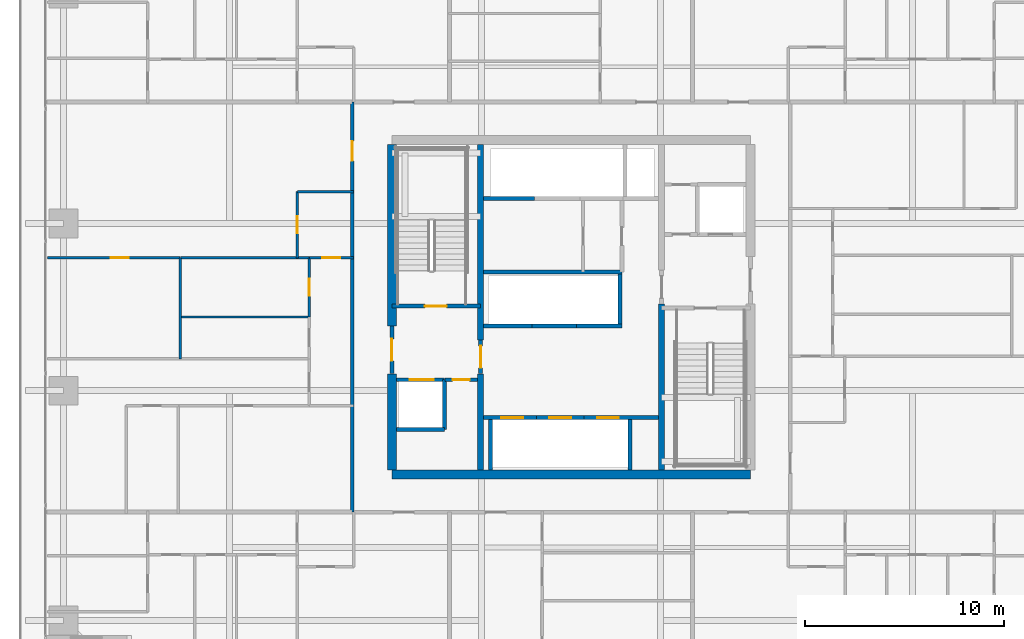
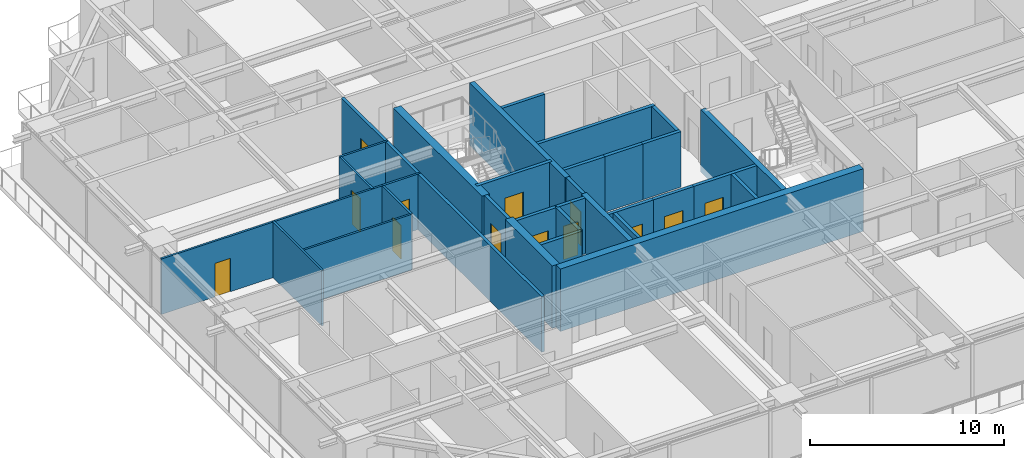
# One storey, part 27 of 37: 33 walls, 13 doors, 13 openings.
"""IFC4 building model written with IfcOpenShell, lengths in metres."""

from ifc_helpers import new_model, si_unit, direction, frame, frame_2d, origin, place, context, subcontext, project, spatial, rectangle, extrude, source, transform, mapped, material, layer, layer_set, type_object, element, fill, save


model = new_model("IFC4")

# Units and contexts
model_context = context("Model", 3, precision=1e-05, world=origin(), true_north=direction((0.0, 1.0)))
body_context = subcontext(model_context, "Body", "Model", "MODEL_VIEW")
ifc_project = project(units=[si_unit("LENGTHUNIT", "METRE"), si_unit("AREAUNIT", "SQUARE_METRE"), si_unit("VOLUMEUNIT", "CUBIC_METRE"), si_unit("PLANEANGLEUNIT", "RADIAN"), si_unit("MASSUNIT", "GRAM", prefix="KILO")], contexts=[model_context])

# Site, building, storey
site_placement = place(None, origin())
site = spatial("IfcSite", under=ifc_project, at=site_placement, CompositionType="ELEMENT")
building_placement = place(site_placement, origin())
building = spatial("IfcBuilding", under=site, at=building_placement, Name="Serunith Strait Residences", CompositionType="ELEMENT")
storey_placement = place(building_placement, frame((0.0, 0.0, 26.699951171875)))
storey = spatial("IfcBuildingStorey", under=building, at=storey_placement, Name="L05", CompositionType="ELEMENT", Elevation=26.699951171875)

# Wall, opening, door
ifc_material_1 = material(Name="Fire-rated acoustic gypsum partition")
ifc_layer_1 = layer(ifc_material_1, 0.179931640625, Name="Fire-rated acoustic gypsum partition")
ifc_layer_set_1 = layer_set([ifc_layer_1], Name="Fire-rated acoustic gypsum partition")
wall_type_1 = type_object("IfcWallType", Name="IW-CORR-180", PredefinedType="PARTITIONING", material=ifc_layer_set_1)
wall_1_placement = place(storey_placement, frame((21.39990234375, 14.89990234375, 0.0), z_axis=(0.0, 0.0, 1.0), x_axis=(0.0, 1.0, 0.0)))
wall_1 = element("IfcWall", 1, at=wall_1_placement, inside=storey, type_object=wall_type_1, Name="L05 Partition Wall 025", PredefinedType="PARTITIONING", context=body_context, shape_type="SweptSolid", body=[
    extrude(rectangle(XDim=20.60009765625, YDim=0.179931640625, at=frame_2d((10.300048828125, 0.0))), origin(), (0.0, 0.0, 1.0), 3.489990234375),
])
opening_1_placement = place(wall_1_placement, frame((17.639892578125, 0.0, 0.0)))
opening_1 = element("IfcOpeningElement", 2, at=opening_1_placement, cuts=wall_1, Name="Opening D-APT1000", PredefinedType="OPENING", context=body_context, shape_type="SweptSolid", body=[
    extrude(rectangle(XDim=1.0, YDim=2.14990234375, at=frame_2d((0.5, 1.074951171875))), frame((0.0, 0.10009765625, 0.0), z_axis=(0.0, -1.0, 0.0), x_axis=(1.0, 0.0, 0.0)), (0.0, 0.0, 1.0), 0.199951171875),
])
ifc_material_2 = material(Name="Solid timber engineered fire door", Category="wood")
door_type_1 = type_object("IfcDoorType", Name="ID-APT-1000", OperationType="NOTDEFINED", PredefinedType="DOOR", material=ifc_material_2)
shared_shape_1 = source(origin(), body_context, "Body", "SweptSolid", [
    extrude(rectangle(XDim=1.0, YDim=2.14990234375, at=frame_2d((0.5, 1.074951171875))), frame((0.0, 0.02490234375, 0.0), z_axis=(0.0, -1.0, 0.0), x_axis=(1.0, 0.0, 0.0)), (0.0, 0.0, 1.0), 0.050048828125),
])
door_1_placement = place(opening_1_placement, origin())
door_1 = element("IfcDoor", 3, at=door_1_placement, inside=storey, type_object=door_type_1, Name="L05 Unit 07 Entrance Door", OperationType="SINGLE_SWING_LEFT", OverallHeight=2.14990234375, OverallWidth=1.0, PredefinedType="DOOR", context=body_context, shape_type="MappedRepresentation", body=[
    mapped(shared_shape_1, transform((0.0, 0.0, 0.0), scale=1.0)),
])
fill(opening_1, door_1)

ifc_material_3 = material(Name="Lightweight steel-stud gypsum partition", Category="steel")
ifc_layer_2 = layer(ifc_material_3, 0.1201171875, Name="Lightweight steel-stud gypsum partition")
ifc_layer_set_2 = layer_set([ifc_layer_2], Name="Lightweight steel-stud gypsum partition")
wall_type_2 = type_object("IfcWallType", Name="IW-PART-120", PredefinedType="PARTITIONING", material=ifc_layer_set_2)
wall_2_placement = place(storey_placement, frame((18.64990234375, 27.669921875, 0.0), z_axis=(0.0, 0.0, 1.0), x_axis=(0.0, 1.0, 0.0)))
wall_2 = element("IfcWall", 4, at=wall_2_placement, inside=storey, type_object=wall_type_2, Name="L05 Partition Wall 101", PredefinedType="PARTITIONING", context=body_context, shape_type="SweptSolid", body=[
    extrude(rectangle(XDim=3.330078125, YDim=0.1201171875, at=frame_2d((1.6650390625, 0.0))), origin(), (0.0, 0.0, 1.0), 3.489990234375),
])
opening_2_placement = place(wall_2_placement, frame((1.239990234375, 0.0, 0.0)))
opening_2 = element("IfcOpeningElement", 5, at=opening_2_placement, cuts=wall_2, Name="Opening D-RM850", PredefinedType="OPENING", context=body_context, shape_type="SweptSolid", body=[
    extrude(rectangle(XDim=0.85009765625, YDim=2.10009765625, at=frame_2d((0.425048828125, 1.050048828125))), frame((0.0, 0.070068359375, 0.0), z_axis=(0.0, -1.0, 0.0), x_axis=(1.0, 0.0, 0.0)), (0.0, 0.0, 1.0), 0.14013671875),
])
ifc_material_4 = material(Name="Engineered timber flush study and kitchen door", Category="wood")
door_type_2 = type_object("IfcDoorType", Name="ID-ROOM-850", OperationType="NOTDEFINED", PredefinedType="DOOR", material=ifc_material_4)
shared_shape_2 = source(origin(), body_context, "Body", "SweptSolid", [
    extrude(rectangle(XDim=0.85009765625, YDim=2.10009765625, at=frame_2d((0.425048828125, 1.050048828125))), frame((0.0, 0.02490234375, 0.0), z_axis=(0.0, -1.0, 0.0), x_axis=(1.0, 0.0, 0.0)), (0.0, 0.0, 1.0), 0.050048828125),
])
door_2_placement = place(opening_2_placement, origin())
door_2 = element("IfcDoor", 6, at=door_2_placement, inside=storey, type_object=door_type_2, Name="L05 Kitchen 0507 Door", OperationType="SINGLE_SWING_LEFT", OverallHeight=2.10009765625, OverallWidth=0.85009765625, PredefinedType="DOOR", context=body_context, shape_type="MappedRepresentation", body=[
    mapped(shared_shape_2, transform((0.0, 0.0, 0.0), scale=1.0)),
])
fill(opening_2, door_2)

# Wall
wall_3_placement = place(storey_placement, frame((18.64990234375, 31.0, 0.0), z_axis=(0.0, 0.0, 1.0), x_axis=(1.0, 0.0, 0.0)))
element("IfcWall", 7, at=wall_3_placement, inside=storey, type_object=wall_type_2, Name="L05 Partition Wall 102", PredefinedType="PARTITIONING", context=body_context, shape_type="SweptSolid", body=[
    extrude(rectangle(XDim=2.81005859375, YDim=0.1201171875, at=frame_2d((1.405029296875, 0.0))), origin(), (0.0, 0.0, 1.0), 3.489990234375),
])

# Wall, opening, door
wall_4_placement = place(storey_placement, frame((19.25, 27.669921875, 0.0), z_axis=(0.0, 0.0, 1.0), x_axis=(1.0, 0.0, 0.0)))
wall_4 = element("IfcWall", 8, at=wall_4_placement, inside=storey, type_object=wall_type_2, Name="L05 Partition Wall 103", PredefinedType="PARTITIONING", context=body_context, shape_type="SweptSolid", body=[
    extrude(rectangle(XDim=2.2099609375, YDim=0.1201171875, at=frame_2d((1.10498046875, 0.0))), origin(), (0.0, 0.0, 1.0), 3.489990234375),
])
opening_3_placement = place(wall_4_placement, frame((0.655029296875, 0.0, 0.0)))
opening_3 = element("IfcOpeningElement", 9, at=opening_3_placement, cuts=wall_4, Name="Opening D-RM900", PredefinedType="OPENING", context=body_context, shape_type="SweptSolid", body=[
    extrude(rectangle(XDim=0.89990234375, YDim=2.10009765625, at=frame_2d((0.449951171875, 1.050048828125))), frame((0.0, 0.070068359375, 0.0), z_axis=(0.0, -1.0, 0.0), x_axis=(1.0, 0.0, 0.0)), (0.0, 0.0, 1.0), 0.14013671875),
])
ifc_material_5 = material(Name="Engineered timber flush bedroom door", Category="wood")
door_type_3 = type_object("IfcDoorType", Name="ID-ROOM-900", OperationType="NOTDEFINED", PredefinedType="DOOR", material=ifc_material_5)
shared_shape_3 = source(origin(), body_context, "Body", "SweptSolid", [
    extrude(rectangle(XDim=0.89990234375, YDim=2.10009765625, at=frame_2d((0.449951171875, 1.050048828125))), frame((0.0, 0.02490234375, 0.0), z_axis=(0.0, -1.0, 0.0), x_axis=(1.0, 0.0, 0.0)), (0.0, 0.0, 1.0), 0.050048828125),
])
door_3_placement = place(opening_3_placement, origin())
door_3 = element("IfcDoor", 10, at=door_3_placement, inside=storey, type_object=door_type_3, Name="L05 Hall W 0507 Door", OperationType="SINGLE_SWING_RIGHT", OverallHeight=2.10009765625, OverallWidth=0.89990234375, PredefinedType="DOOR", context=body_context, shape_type="MappedRepresentation", body=[
    mapped(shared_shape_3, transform((0.0, 0.0, 0.0), scale=1.0)),
])
fill(opening_3, door_3)

wall_5_placement = place(storey_placement, frame((6.094970703125, 27.669921875, 0.0), z_axis=(0.0, 0.0, 1.0), x_axis=(1.0, 0.0, 0.0)))
wall_5 = element("IfcWall", 11, at=wall_5_placement, inside=storey, type_object=wall_type_2, Name="L05 Partition Wall 104", PredefinedType="PARTITIONING", context=body_context, shape_type="SweptSolid", body=[
    extrude(rectangle(XDim=6.669921875, YDim=0.1201171875, at=frame_2d((3.3349609375, 0.0))), origin(), (0.0, 0.0, 1.0), 3.489990234375),
])
opening_4_placement = place(wall_5_placement, frame((3.174072265625, 0.0, 0.0)))
opening_4 = element("IfcOpeningElement", 12, at=opening_4_placement, cuts=wall_5, Name="Opening D-RM900", PredefinedType="OPENING", context=body_context, shape_type="SweptSolid", body=[
    extrude(rectangle(XDim=0.89990234375, YDim=2.10009765625, at=frame_2d((0.449951171875, 1.050048828125))), frame((0.0, 0.070068359375, 0.0), z_axis=(0.0, -1.0, 0.0), x_axis=(1.0, 0.0, 0.0)), (0.0, 0.0, 1.0), 0.14013671875),
])
door_4_placement = place(opening_4_placement, origin())
door_4 = element("IfcDoor", 13, at=door_4_placement, inside=storey, type_object=door_type_3, Name="L05 Formal Dining Room 1 0507 Door", OperationType="SINGLE_SWING_LEFT", OverallHeight=2.10009765625, OverallWidth=0.89990234375, PredefinedType="DOOR", context=body_context, shape_type="MappedRepresentation", body=[
    mapped(shared_shape_3, transform((0.0, 0.0, 0.0), scale=1.0)),
])
fill(opening_4, door_4)

# Walls
wall_6_placement = place(storey_placement, frame((12.76708984375, 27.669921875, 0.0), z_axis=(0.0, 0.0, 1.0), x_axis=(1.0, 0.0, 0.0)))
element("IfcWall", 14, at=wall_6_placement, inside=storey, type_object=wall_type_2, Name="L05 Partition Wall 105", PredefinedType="PARTITIONING", context=body_context, shape_type="SweptSolid", body=[
    extrude(rectangle(XDim=6.48095703125, YDim=0.1201171875, at=frame_2d((3.240478515625, 0.0))), origin(), (0.0, 0.0, 1.0), 3.489990234375),
])
wall_7_placement = place(storey_placement, frame((12.764892578125, 22.60009765625, 0.0), z_axis=(0.0, 0.0, 1.0), x_axis=(0.0, 1.0, 0.0)))
element("IfcWall", 15, at=wall_7_placement, inside=storey, type_object=wall_type_2, Name="L05 Partition Wall 106", PredefinedType="PARTITIONING", context=body_context, shape_type="SweptSolid", body=[
    extrude(rectangle(XDim=5.06982421875, YDim=0.1201171875, at=frame_2d((2.534912109375, 0.0))), origin(), (0.0, 0.0, 1.0), 3.489990234375),
])
wall_8_placement = place(storey_placement, frame((12.764892578125, 24.699951171875, 0.0), z_axis=(0.0, 0.0, 1.0), x_axis=(1.0, 0.0, 0.0)))
element("IfcWall", 16, at=wall_8_placement, inside=storey, type_object=wall_type_2, Name="L05 Partition Wall 108", PredefinedType="PARTITIONING", context=body_context, shape_type="SweptSolid", body=[
    extrude(rectangle(XDim=6.485107421875, YDim=0.1201171875, at=frame_2d((3.24267578125, 0.0))), origin(), (0.0, 0.0, 1.0), 3.489990234375),
])

# Wall, opening, door
wall_9_placement = place(storey_placement, frame((19.25, 24.701904296875, 0.0), z_axis=(0.0, 0.0, 1.0), x_axis=(0.0, 1.0, 0.0)))
wall_9 = element("IfcWall", 17, at=wall_9_placement, inside=storey, type_object=wall_type_2, Name="L05 Partition Wall 110", PredefinedType="PARTITIONING", context=body_context, shape_type="SweptSolid", body=[
    extrude(rectangle(XDim=2.968017578125, YDim=0.1201171875, at=frame_2d((1.48388671875, 0.0))), origin(), (0.0, 0.0, 1.0), 3.489990234375),
])
opening_5_placement = place(wall_9_placement, frame((1.05908203125, 0.0, 0.0)))
opening_5 = element("IfcOpeningElement", 18, at=opening_5_placement, cuts=wall_9, Name="Opening D-RM850", PredefinedType="OPENING", context=body_context, shape_type="SweptSolid", body=[
    extrude(rectangle(XDim=0.85009765625, YDim=2.10009765625, at=frame_2d((0.425048828125, 1.050048828125))), frame((0.0, 0.070068359375, 0.0), z_axis=(0.0, -1.0, 0.0), x_axis=(1.0, 0.0, 0.0)), (0.0, 0.0, 1.0), 0.14013671875),
])
door_5_placement = place(opening_5_placement, origin())
door_5 = element("IfcDoor", 19, at=door_5_placement, inside=storey, type_object=door_type_2, Name="L05 Formal Dining Room 0507 Door", OperationType="SINGLE_SWING_LEFT", OverallHeight=2.10009765625, OverallWidth=0.85009765625, PredefinedType="DOOR", context=body_context, shape_type="MappedRepresentation", body=[
    mapped(shared_shape_2, transform((0.0, 0.0, 0.0), scale=1.0)),
])
fill(opening_5, door_5)

ifc_material_6 = material(Name="Autoclaved aerated concrete blockwork", Category="masonry")
ifc_layer_3 = layer(ifc_material_6, 0.199951171875, Name="Autoclaved aerated concrete blockwork")
ifc_layer_set_3 = layer_set([ifc_layer_3], Name="Autoclaved aerated concrete blockwork")
wall_type_3 = type_object("IfcWallType", Name="IW-SHAFT-200", PredefinedType="STANDARD", material=ifc_layer_set_3)
wall_10_placement = place(storey_placement, frame((23.39990234375, 25.25, 0.0), z_axis=(0.0, 0.0, 1.0), x_axis=(1.0, 0.0, 0.0)))
wall_10 = element("IfcWall", 20, at=wall_10_placement, inside=storey, type_object=wall_type_3, Name="L05 ST-1 South Shaft Wall", PredefinedType="STANDARD", context=body_context, shape_type="SweptSolid", body=[
    extrude(rectangle(XDim=4.4501953125, YDim=0.199951171875, at=frame_2d((2.22509765625, 0.0))), origin(), (0.0, 0.0, 1.0), 3.489990234375),
])
opening_6_placement = place(wall_10_placement, frame((1.64990234375, 0.0, 0.0)))
opening_6 = element("IfcOpeningElement", 21, at=opening_6_placement, cuts=wall_10, Name="Opening FD-1100", PredefinedType="OPENING", context=body_context, shape_type="SweptSolid", body=[
    extrude(rectangle(XDim=1.10009765625, YDim=2.14990234375, at=frame_2d((0.550048828125, 1.074951171875))), frame((0.0, 0.10986328125, 0.0), z_axis=(0.0, -1.0, 0.0), x_axis=(1.0, 0.0, 0.0)), (0.0, 0.0, 1.0), 0.219970703125),
])
ifc_material_7 = material(Name="Galvanised steel fire door leaf", Category="steel")
door_type_4 = type_object("IfcDoorType", Name="FD-STAIR-1100", OperationType="NOTDEFINED", PredefinedType="DOOR", material=ifc_material_7)
shared_shape_4 = source(origin(), body_context, "Body", "SweptSolid", [
    extrude(rectangle(XDim=1.10009765625, YDim=2.14990234375, at=frame_2d((0.550048828125, 1.074951171875))), frame((0.0, 0.02490234375, 0.0), z_axis=(0.0, -1.0, 0.0), x_axis=(1.0, 0.0, 0.0)), (0.0, 0.0, 1.0), 0.050048828125),
])
door_6_placement = place(opening_6_placement, origin())
door_6 = element("IfcDoor", 22, at=door_6_placement, inside=storey, type_object=door_type_4, Name="L05 ST-1 Escape Stair Door", OperationType="SINGLE_SWING_LEFT", OverallHeight=2.14990234375, OverallWidth=1.10009765625, PredefinedType="DOOR", context=body_context, shape_type="MappedRepresentation", body=[
    mapped(shared_shape_4, transform((0.0, 0.0, 0.0), scale=1.0)),
])
fill(opening_6, door_6)

wall_11_placement = place(storey_placement, frame((23.625, 21.550048828125, 0.0), z_axis=(0.0, 0.0, 1.0), x_axis=(1.0, 0.0, 0.0)))
wall_11 = element("IfcWall", 23, at=wall_11_placement, inside=storey, type_object=wall_type_3, Name="L05 FL-1 North Shaft Wall", PredefinedType="STANDARD", context=body_context, shape_type="SweptSolid", body=[
    extrude(rectangle(XDim=2.425048828125, YDim=0.199951171875, at=frame_2d((1.21240234375, 0.0))), origin(), (0.0, 0.0, 1.0), 3.489990234375),
])
opening_7_placement = place(wall_11_placement, frame((0.675048828125, 0.0, 0.0)))
opening_7 = element("IfcOpeningElement", 24, at=opening_7_placement, cuts=wall_11, Name="Opening LD-FF1200", PredefinedType="OPENING", context=body_context, shape_type="SweptSolid", body=[
    extrude(rectangle(XDim=1.199951171875, YDim=2.199951171875, at=frame_2d((0.60009765625, 1.10009765625))), frame((0.0, 0.10986328125, 0.0), z_axis=(0.0, -1.0, 0.0), x_axis=(1.0, 0.0, 0.0)), (0.0, 0.0, 1.0), 0.219970703125),
])
ifc_material_8 = material(Name="Brushed stainless steel landing door", Category="steel")
door_type_5 = type_object("IfcDoorType", Name="LD-FF-1200", OperationType="DOUBLE_DOOR_SLIDING", PredefinedType="DOOR", material=ifc_material_8)
shared_shape_5 = source(origin(), body_context, "Body", "SweptSolid", [
    extrude(rectangle(XDim=1.199951171875, YDim=2.199951171875, at=frame_2d((0.60009765625, 1.10009765625))), frame((0.0, 0.02490234375, 0.0), z_axis=(0.0, -1.0, 0.0), x_axis=(1.0, 0.0, 0.0)), (0.0, 0.0, 1.0), 0.050048828125),
])
door_7_placement = place(opening_7_placement, origin())
door_7 = element("IfcDoor", 25, at=door_7_placement, inside=storey, type_object=door_type_5, Name="L05 FL-1 Landing Door", OperationType="DOUBLE_DOOR_SLIDING", OverallHeight=2.199951171875, OverallWidth=1.199951171875, PredefinedType="DOOR", context=body_context, shape_type="MappedRepresentation", body=[
    mapped(shared_shape_5, transform((0.0, 0.0, 0.0), scale=1.0)),
])
fill(opening_7, door_7)

wall_12_placement = place(storey_placement, frame((28.0, 19.64990234375, 0.0), z_axis=(0.0, 0.0, 1.0), x_axis=(1.0, 0.0, 0.0)))
wall_12 = element("IfcWall", 26, at=wall_12_placement, inside=storey, type_object=wall_type_3, Name="L05 PL-1 North Shaft Wall", PredefinedType="STANDARD", context=body_context, shape_type="SweptSolid", body=[
    extrude(rectangle(XDim=2.64990234375, YDim=0.199951171875, at=frame_2d((1.324951171875, 0.0))), origin(), (0.0, 0.0, 1.0), 3.489990234375),
])
opening_8_placement = place(wall_12_placement, frame((0.89990234375, 0.0, 0.0)))
opening_8 = element("IfcOpeningElement", 27, at=opening_8_placement, cuts=wall_12, Name="Opening LD-1100", PredefinedType="OPENING", context=body_context, shape_type="SweptSolid", body=[
    extrude(rectangle(XDim=1.10009765625, YDim=2.199951171875, at=frame_2d((0.550048828125, 1.10009765625))), frame((0.0, 0.10986328125, 0.0), z_axis=(0.0, -1.0, 0.0), x_axis=(1.0, 0.0, 0.0)), (0.0, 0.0, 1.0), 0.219970703125),
])
ifc_material_9 = material(Name="Pale-champagne stainless landing door")
door_type_6 = type_object("IfcDoorType", Name="LD-LIFT-1100", OperationType="DOUBLE_DOOR_SLIDING", PredefinedType="DOOR", material=ifc_material_9)
shared_shape_6 = source(origin(), body_context, "Body", "SweptSolid", [
    extrude(rectangle(XDim=1.10009765625, YDim=2.199951171875, at=frame_2d((0.550048828125, 1.10009765625))), frame((0.0, 0.02490234375, 0.0), z_axis=(0.0, -1.0, 0.0), x_axis=(1.0, 0.0, 0.0)), (0.0, 0.0, 1.0), 0.050048828125),
])
door_8_placement = place(opening_8_placement, origin())
door_8 = element("IfcDoor", 28, at=door_8_placement, inside=storey, type_object=door_type_6, Name="L05 PL-1 Landing Door", OperationType="DOUBLE_DOOR_SLIDING", OverallHeight=2.199951171875, OverallWidth=1.10009765625, PredefinedType="DOOR", context=body_context, shape_type="MappedRepresentation", body=[
    mapped(shared_shape_6, transform((0.0, 0.0, 0.0), scale=1.0)),
])
fill(opening_8, door_8)

# Wall
wall_13_placement = place(storey_placement, frame((28.35009765625, 17.02490234375, 0.0), z_axis=(0.0, 0.0, 1.0), x_axis=(0.0, 1.0, 0.0)))
element("IfcWall", 29, at=wall_13_placement, inside=storey, type_object=wall_type_3, Name="L05 PL-1 West Shaft Wall", PredefinedType="STANDARD", context=body_context, shape_type="SweptSolid", body=[
    extrude(rectangle(XDim=2.525146484375, YDim=0.199951171875, at=frame_2d((1.2626953125, 0.0))), origin(), (0.0, 0.0, 1.0), 3.489990234375),
])

# Wall, opening, door
wall_14_placement = place(storey_placement, frame((30.64990234375, 19.64990234375, 0.0), z_axis=(0.0, 0.0, 1.0), x_axis=(1.0, 0.0, 0.0)))
wall_14 = element("IfcWall", 30, at=wall_14_placement, inside=storey, type_object=wall_type_3, Name="L05 PL-2 North Shaft Wall", PredefinedType="STANDARD", context=body_context, shape_type="SweptSolid", body=[
    extrude(rectangle(XDim=2.400146484375, YDim=0.199951171875, at=frame_2d((1.2001953125, 0.0))), origin(), (0.0, 0.0, 1.0), 3.489990234375),
])
opening_9_placement = place(wall_14_placement, frame((0.64990234375, 0.0, 0.0)))
opening_9 = element("IfcOpeningElement", 31, at=opening_9_placement, cuts=wall_14, Name="Opening LD-1100", PredefinedType="OPENING", context=body_context, shape_type="SweptSolid", body=[
    extrude(rectangle(XDim=1.10009765625, YDim=2.199951171875, at=frame_2d((0.550048828125, 1.10009765625))), frame((0.0, 0.10986328125, 0.0), z_axis=(0.0, -1.0, 0.0), x_axis=(1.0, 0.0, 0.0)), (0.0, 0.0, 1.0), 0.219970703125),
])
door_9_placement = place(opening_9_placement, origin())
door_9 = element("IfcDoor", 32, at=door_9_placement, inside=storey, type_object=door_type_6, Name="L05 PL-2 Landing Door", OperationType="DOUBLE_DOOR_SLIDING", OverallHeight=2.199951171875, OverallWidth=1.10009765625, PredefinedType="DOOR", context=body_context, shape_type="MappedRepresentation", body=[
    mapped(shared_shape_6, transform((0.0, 0.0, 0.0), scale=1.0)),
])
fill(opening_9, door_9)

wall_15_placement = place(storey_placement, frame((33.050048828125, 19.64990234375, 0.0), z_axis=(0.0, 0.0, 1.0), x_axis=(1.0, 0.0, 0.0)))
wall_15 = element("IfcWall", 33, at=wall_15_placement, inside=storey, type_object=wall_type_3, Name="L05 PL-3 North Shaft Wall", PredefinedType="STANDARD", context=body_context, shape_type="SweptSolid", body=[
    extrude(rectangle(XDim=3.75, YDim=0.199951171875, at=frame_2d((1.875, 0.0))), origin(), (0.0, 0.0, 1.0), 3.489990234375),
])
opening_10_placement = place(wall_15_placement, frame((0.64990234375, 0.0, 0.0)))
opening_10 = element("IfcOpeningElement", 34, at=opening_10_placement, cuts=wall_15, Name="Opening LD-1100", PredefinedType="OPENING", context=body_context, shape_type="SweptSolid", body=[
    extrude(rectangle(XDim=1.10009765625, YDim=2.199951171875, at=frame_2d((0.550048828125, 1.10009765625))), frame((0.0, 0.10986328125, 0.0), z_axis=(0.0, -1.0, 0.0), x_axis=(1.0, 0.0, 0.0)), (0.0, 0.0, 1.0), 0.219970703125),
])
door_10_placement = place(opening_10_placement, origin())
door_10 = element("IfcDoor", 35, at=door_10_placement, inside=storey, type_object=door_type_6, Name="L05 PL-3 Landing Door", OperationType="DOUBLE_DOOR_SLIDING", OverallHeight=2.199951171875, OverallWidth=1.10009765625, PredefinedType="DOOR", context=body_context, shape_type="MappedRepresentation", body=[
    mapped(shared_shape_6, transform((0.0, 0.0, 0.0), scale=1.0)),
])
fill(opening_10, door_10)

# Walls
wall_16_placement = place(storey_placement, frame((35.35009765625, 17.02490234375, 0.0), z_axis=(0.0, 0.0, 1.0), x_axis=(0.0, 1.0, 0.0)))
element("IfcWall", 36, at=wall_16_placement, inside=storey, type_object=wall_type_3, Name="L05 PL-3 East Shaft Wall", PredefinedType="STANDARD", context=body_context, shape_type="SweptSolid", body=[
    extrude(rectangle(XDim=2.525146484375, YDim=0.199951171875, at=frame_2d((1.2626953125, 0.0))), origin(), (0.0, 0.0, 1.0), 3.489990234375),
])
wall_17_placement = place(storey_placement, frame((28.0, 24.25, 0.0), z_axis=(0.0, 0.0, 1.0), x_axis=(1.0, 0.0, 0.0)))
element("IfcWall", 37, at=wall_17_placement, inside=storey, type_object=wall_type_3, Name="L05 PL-4 South Shaft Wall", PredefinedType="STANDARD", context=body_context, shape_type="SweptSolid", body=[
    extrude(rectangle(XDim=2.425048828125, YDim=0.199951171875, at=frame_2d((1.21240234375, 0.0))), origin(), (0.0, 0.0, 1.0), 3.489990234375),
])
wall_18_placement = place(storey_placement, frame((30.425048828125, 24.25, 0.0), z_axis=(0.0, 0.0, 1.0), x_axis=(1.0, 0.0, 0.0)))
element("IfcWall", 38, at=wall_18_placement, inside=storey, type_object=wall_type_3, Name="L05 PL-5 South Shaft Wall", PredefinedType="STANDARD", context=body_context, shape_type="SweptSolid", body=[
    extrude(rectangle(XDim=2.25, YDim=0.199951171875, at=frame_2d((1.125, 0.0))), origin(), (0.0, 0.0, 1.0), 3.489990234375),
])
wall_19_placement = place(storey_placement, frame((32.675048828125, 24.25, 0.0), z_axis=(0.0, 0.0, 1.0), x_axis=(1.0, 0.0, 0.0)))
element("IfcWall", 39, at=wall_19_placement, inside=storey, type_object=wall_type_3, Name="L05 PL-6 South Shaft Wall", PredefinedType="STANDARD", context=body_context, shape_type="SweptSolid", body=[
    extrude(rectangle(XDim=2.27490234375, YDim=0.199951171875, at=frame_2d((1.137451171875, 0.0))), origin(), (0.0, 0.0, 1.0), 3.489990234375),
])
wall_20_placement = place(storey_placement, frame((34.85009765625, 24.35009765625, 0.0), z_axis=(0.0, 0.0, 1.0), x_axis=(0.0, 1.0, 0.0)))
element("IfcWall", 40, at=wall_20_placement, inside=storey, type_object=wall_type_3, Name="L05 PL-6 East Shaft Wall", PredefinedType="STANDARD", context=body_context, shape_type="SweptSolid", body=[
    extrude(rectangle(XDim=2.5, YDim=0.199951171875, at=frame_2d((1.25, 0.0))), origin(), (0.0, 0.0, 1.0), 3.489990234375),
])
wall_21_placement = place(storey_placement, frame((28.0, 30.64990234375, 0.0), z_axis=(0.0, 0.0, 1.0), x_axis=(1.0, 0.0, 0.0)))
element("IfcWall", 41, at=wall_21_placement, inside=storey, type_object=wall_type_3, Name="L05 PL-7 South Shaft Wall", PredefinedType="STANDARD", context=body_context, shape_type="SweptSolid", body=[
    extrude(rectangle(XDim=2.550048828125, YDim=0.199951171875, at=frame_2d((1.27490234375, 0.0))), origin(), (0.0, 0.0, 1.0), 3.489990234375),
])
wall_22_placement = place(storey_placement, frame((26.050048828125, 19.050048828125, 0.0), z_axis=(0.0, 0.0, 1.0), x_axis=(0.0, 1.0, 0.0)))
element("IfcWall", 42, at=wall_22_placement, inside=storey, type_object=wall_type_3, Name="L05 Partition Wall 001", PredefinedType="STANDARD", context=body_context, shape_type="SweptSolid", body=[
    extrude(rectangle(XDim=2.5, YDim=0.199951171875, at=frame_2d((1.25, 0.0))), origin(), (0.0, 0.0, 1.0), 3.489990234375),
])
wall_23_placement = place(storey_placement, frame((23.625, 19.050048828125, 0.0), z_axis=(0.0, 0.0, 1.0), x_axis=(1.0, 0.0, 0.0)))
element("IfcWall", 43, at=wall_23_placement, inside=storey, type_object=wall_type_3, Name="L05 Partition Wall 002", PredefinedType="STANDARD", context=body_context, shape_type="SweptSolid", body=[
    extrude(rectangle(XDim=2.425048828125, YDim=0.199951171875, at=frame_2d((1.21240234375, 0.0))), origin(), (0.0, 0.0, 1.0), 3.489990234375),
])

# Wall, opening, door
wall_24_placement = place(storey_placement, frame((26.052001953125, 21.550048828125, 0.0), z_axis=(0.0, 0.0, 1.0), x_axis=(1.0, 0.0, 0.0)))
wall_24 = element("IfcWall", 44, at=wall_24_placement, inside=storey, type_object=wall_type_3, Name="L05 Partition Wall 003", PredefinedType="STANDARD", context=body_context, shape_type="SweptSolid", body=[
    extrude(rectangle(XDim=1.64794921875, YDim=0.199951171875, at=frame_2d((0.823974609375, 0.0))), origin(), (0.0, 0.0, 1.0), 3.489990234375),
])
opening_11_placement = place(wall_24_placement, frame((0.39892578125, 0.0, 0.0)))
opening_11 = element("IfcOpeningElement", 45, at=opening_11_placement, cuts=wall_24, Name="Opening FD-850", PredefinedType="OPENING", context=body_context, shape_type="SweptSolid", body=[
    extrude(rectangle(XDim=0.85009765625, YDim=2.10009765625, at=frame_2d((0.425048828125, 1.050048828125))), frame((0.0, 0.10986328125, 0.0), z_axis=(0.0, -1.0, 0.0), x_axis=(1.0, 0.0, 0.0)), (0.0, 0.0, 1.0), 0.219970703125),
])
ifc_material_10 = material(Name="Powder-coated steel service closet door", Category="steel")
door_type_7 = type_object("IfcDoorType", Name="FD-BOH-850", OperationType="NOTDEFINED", PredefinedType="DOOR", material=ifc_material_10)
door_11_placement = place(opening_11_placement, origin())
door_11 = element("IfcDoor", 46, at=door_11_placement, inside=storey, type_object=door_type_7, Name="L05 South-West Core Service Door", OperationType="SINGLE_SWING_RIGHT", OverallHeight=2.10009765625, OverallWidth=0.85009765625, PredefinedType="DOOR", context=body_context, shape_type="MappedRepresentation", body=[
    mapped(shared_shape_2, transform((0.0, 0.0, 0.0), scale=1.0)),
])
fill(opening_11, door_11)

wall_25_placement = place(storey_placement, frame((23.39990234375, 21.85205078125, 0.0), z_axis=(0.0, 0.0, 1.0), x_axis=(0.0, 1.0, 0.0)))
wall_25 = element("IfcWall", 47, at=wall_25_placement, inside=storey, type_object=wall_type_3, Name="L05 Partition Wall 007", PredefinedType="STANDARD", context=body_context, shape_type="SweptSolid", body=[
    extrude(rectangle(XDim=2.39599609375, YDim=0.199951171875, at=frame_2d((1.197998046875, 0.0))), origin(), (0.0, 0.0, 1.0), 3.489990234375),
])
opening_12_placement = place(wall_25_placement, frame((0.64794921875, 0.0, 0.0)))
opening_12 = element("IfcOpeningElement", 48, at=opening_12_placement, cuts=wall_25, Name="Opening FD-FFL", PredefinedType="OPENING", context=body_context, shape_type="SweptSolid", body=[
    extrude(rectangle(XDim=1.10009765625, YDim=2.14990234375, at=frame_2d((0.550048828125, 1.074951171875))), frame((0.0, 0.10986328125, 0.0), z_axis=(0.0, -1.0, 0.0), x_axis=(1.0, 0.0, 0.0)), (0.0, 0.0, 1.0), 0.219970703125),
])
ifc_material_11 = material(Name="Glazed steel smoke-lobby fire door", Category="steel")
door_type_8 = type_object("IfcDoorType", Name="FD-FFL-1100", OperationType="NOTDEFINED", PredefinedType="DOOR", material=ifc_material_11)
door_12_placement = place(opening_12_placement, origin())
door_12 = element("IfcDoor", 49, at=door_12_placement, inside=storey, type_object=door_type_8, Name="L05 FFL-1 Corridor Fire Door", OperationType="SINGLE_SWING_RIGHT", OverallHeight=2.14990234375, OverallWidth=1.10009765625, PredefinedType="DOOR", context=body_context, shape_type="MappedRepresentation", body=[
    mapped(shared_shape_4, transform((0.0, 0.0, 0.0), scale=1.0)),
])
fill(opening_12, door_12)

wall_26_placement = place(storey_placement, frame((27.85009765625, 21.85205078125, 0.0), z_axis=(0.0, 0.0, 1.0), x_axis=(0.0, 1.0, 0.0)))
wall_26 = element("IfcWall", 50, at=wall_26_placement, inside=storey, type_object=wall_type_3, Name="L05 Partition Wall 009", PredefinedType="STANDARD", context=body_context, shape_type="SweptSolid", body=[
    extrude(rectangle(XDim=1.696044921875, YDim=0.199951171875, at=frame_2d((0.84814453125, 0.0))), origin(), (0.0, 0.0, 1.0), 3.489990234375),
])
opening_13_placement = place(wall_26_placement, frame((0.298095703125, 0.0, 0.0)))
opening_13 = element("IfcOpeningElement", 51, at=opening_13_placement, cuts=wall_26, Name="Opening FD-FFL", PredefinedType="OPENING", context=body_context, shape_type="SweptSolid", body=[
    extrude(rectangle(XDim=1.10009765625, YDim=2.14990234375, at=frame_2d((0.550048828125, 1.074951171875))), frame((0.0, 0.10986328125, 0.0), z_axis=(0.0, -1.0, 0.0), x_axis=(1.0, 0.0, 0.0)), (0.0, 0.0, 1.0), 0.219970703125),
])
door_13_placement = place(opening_13_placement, origin())
door_13 = element("IfcDoor", 52, at=door_13_placement, inside=storey, type_object=door_type_8, Name="L05 FFL-1 Lift Lobby Door", OperationType="SINGLE_SWING_RIGHT", OverallHeight=2.14990234375, OverallWidth=1.10009765625, PredefinedType="DOOR", context=body_context, shape_type="MappedRepresentation", body=[
    mapped(shared_shape_4, transform((0.0, 0.0, 0.0), scale=1.0)),
])
fill(opening_13, door_13)

# Walls
wall_27_placement = place(storey_placement, frame((28.0, 26.949951171875, 0.0), z_axis=(0.0, 0.0, 1.0), x_axis=(1.0, 0.0, 0.0)))
element("IfcWall", 53, at=wall_27_placement, inside=storey, type_object=wall_type_3, Name="L05 Partition Wall 011", PredefinedType="STANDARD", context=body_context, shape_type="SweptSolid", body=[
    extrude(rectangle(XDim=6.949951171875, YDim=0.199951171875, at=frame_2d((3.47509765625, 0.0))), origin(), (0.0, 0.0, 1.0), 3.489990234375),
])
ifc_material_12 = material(Name="Concrete C80/95", Category="concrete")
ifc_layer_4 = layer(ifc_material_12, 0.300048828125, Name="Concrete C80/95")
ifc_layer_set_4 = layer_set([ifc_layer_4], Name="Concrete C80/95")
wall_type_4 = type_object("IfcWallType", Name="SW-300-C80", PredefinedType="SHEAR", material=ifc_layer_set_4)
wall_28_placement = place(storey_placement, frame((27.85009765625, 17.02490234375, -0.43994140625), z_axis=(0.0, 0.0, 1.0), x_axis=(0.0, 1.0, 0.0)))
element("IfcWall", 54, at=wall_28_placement, inside=storey, type_object=wall_type_4, Name="L05 Core Internal West Web South Pier", PredefinedType="SHEAR", context=body_context, shape_type="SweptSolid", body=[
    extrude(rectangle(XDim=4.8251953125, YDim=0.300048828125, at=frame_2d((2.41259765625, 0.0))), origin(), (0.0, 0.0, 1.0), 3.927978515625),
])
wall_29_placement = place(storey_placement, frame((27.85009765625, 23.550048828125, -0.43994140625), z_axis=(0.0, 0.0, 1.0), x_axis=(0.0, 1.0, 0.0)))
element("IfcWall", 55, at=wall_29_placement, inside=storey, type_object=wall_type_4, Name="L05 Core Internal West Web North Pier", PredefinedType="SHEAR", context=body_context, shape_type="SweptSolid", body=[
    extrude(rectangle(XDim=9.824951171875, YDim=0.300048828125, at=frame_2d((4.91259765625, 0.0))), origin(), (0.0, 0.0, 1.0), 3.927978515625),
])
wall_30_placement = place(storey_placement, frame((36.949951171875, 17.02490234375, -0.43994140625), z_axis=(0.0, 0.0, 1.0), x_axis=(0.0, 1.0, 0.0)))
element("IfcWall", 56, at=wall_30_placement, inside=storey, type_object=wall_type_4, Name="L05 Core Internal East Web South Pier", PredefinedType="SHEAR", context=body_context, shape_type="SweptSolid", body=[
    extrude(rectangle(XDim=8.3251953125, YDim=0.300048828125, at=frame_2d((4.16259765625, 0.0))), origin(), (0.0, 0.0, 1.0), 3.927978515625),
])
ifc_layer_5 = layer(ifc_material_12, 0.449951171875, Name="Concrete C80/95")
ifc_layer_set_5 = layer_set([ifc_layer_5], Name="Concrete C80/95")
wall_type_5 = type_object("IfcWallType", Name="SW-450-C80", PredefinedType="SHEAR", material=ifc_layer_set_5)
wall_31_placement = place(storey_placement, frame((23.39990234375, 16.800048828125, -0.43994140625), z_axis=(0.0, 0.0, 1.0), x_axis=(1.0, 0.0, 0.0)))
element("IfcWall", 57, at=wall_31_placement, inside=storey, type_object=wall_type_5, Name="L05 Core South Shear Wall", PredefinedType="SHEAR", context=body_context, shape_type="SweptSolid", body=[
    extrude(rectangle(XDim=18.0, YDim=0.449951171875, at=frame_2d((9.0, 0.0))), origin(), (0.0, 0.0, 1.0), 3.927978515625),
])
wall_32_placement = place(storey_placement, frame((23.39990234375, 17.02490234375, -0.43994140625), z_axis=(0.0, 0.0, 1.0), x_axis=(0.0, 1.0, 0.0)))
element("IfcWall", 58, at=wall_32_placement, inside=storey, type_object=wall_type_5, Name="L05 Core West Shear Wall South Pier", PredefinedType="SHEAR", context=body_context, shape_type="SweptSolid", body=[
    extrude(rectangle(XDim=4.8251953125, YDim=0.449951171875, at=frame_2d((2.41259765625, 0.0))), origin(), (0.0, 0.0, 1.0), 3.927978515625),
])
wall_33_placement = place(storey_placement, frame((23.39990234375, 24.25, -0.43994140625), z_axis=(0.0, 0.0, 1.0), x_axis=(0.0, 1.0, 0.0)))
element("IfcWall", 59, at=wall_33_placement, inside=storey, type_object=wall_type_5, Name="L05 Core West Shear Wall North Pier", PredefinedType="SHEAR", context=body_context, shape_type="SweptSolid", body=[
    extrude(rectangle(XDim=9.125, YDim=0.449951171875, at=frame_2d((4.5625, 0.0))), origin(), (0.0, 0.0, 1.0), 3.927978515625),
])

save(model, "model.ifc")
